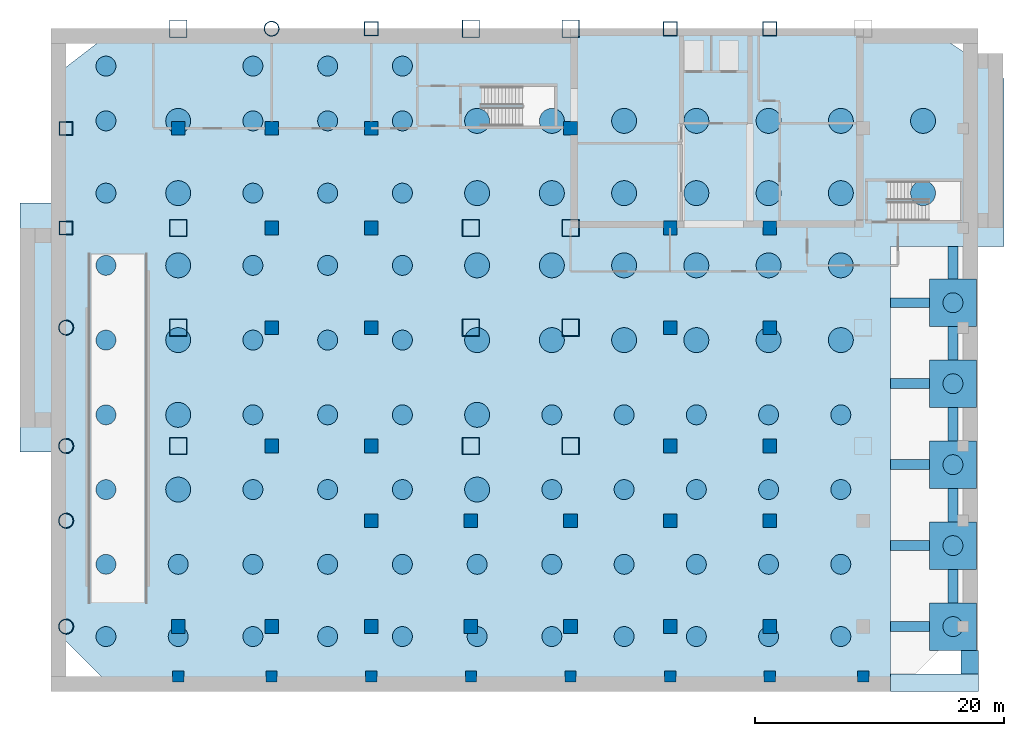
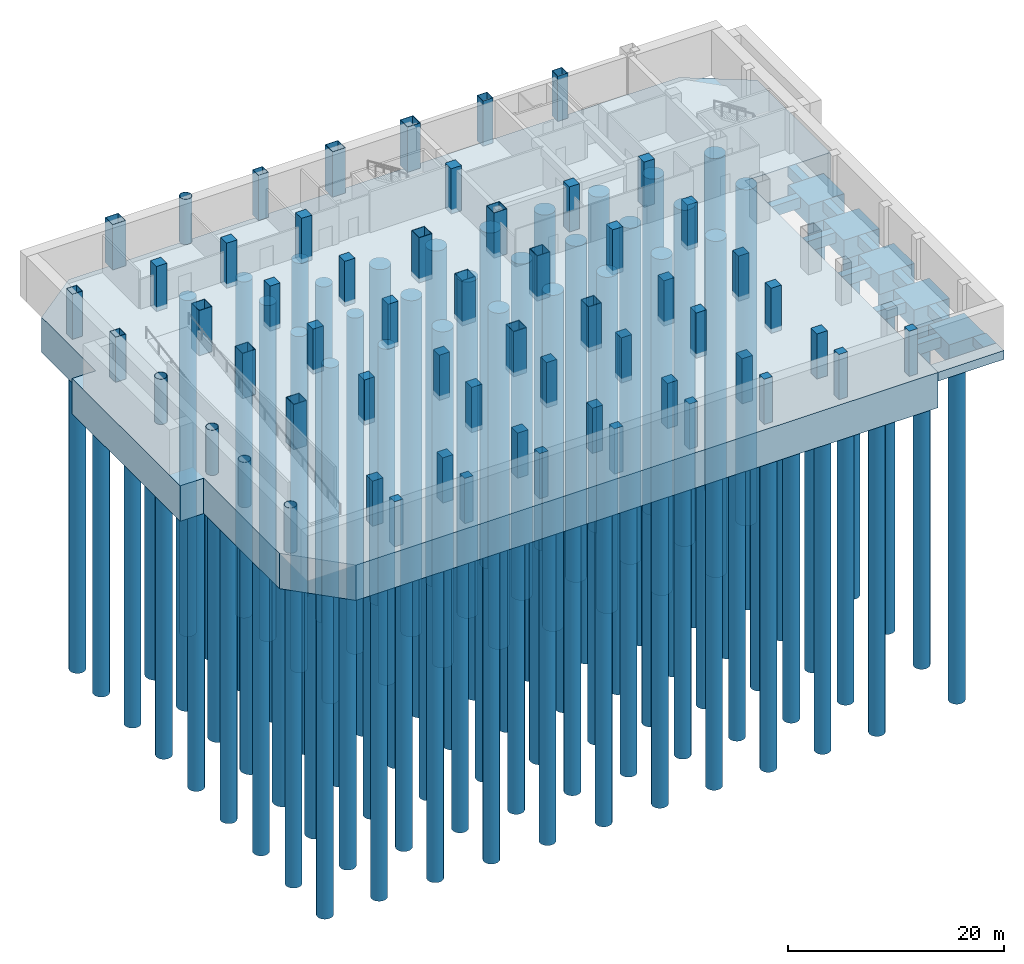
# One storey, part 1 of 8: 99 piles, 58 columns, 18 footings.
"""IFC4 building model written with IfcOpenShell, lengths in metres."""

from ifc_helpers import new_model, si_unit, direction, frame, origin, origin_2d, place, context, subcontext, project, spatial, polyline, rectangle, hollow_rectangle, circle, hollow_circle, outline, extrude, material, layer, layer_set, material_profile, profile_set, type_object, element, save


model = new_model("IFC4")

# Units and contexts
model_context = context("Model", 3, precision=1e-05, world=origin(), true_north=direction((0.0, 1.0)))
body_context = subcontext(model_context, "Body", "Model", "MODEL_VIEW")
ifc_project = project(units=[si_unit("LENGTHUNIT", "METRE"), si_unit("AREAUNIT", "SQUARE_METRE"), si_unit("VOLUMEUNIT", "CUBIC_METRE"), si_unit("PLANEANGLEUNIT", "RADIAN"), si_unit("MASSUNIT", "GRAM", prefix="KILO")], contexts=[model_context])

# Site, building, storey
site_placement = place(None, origin())
site = spatial("IfcSite", under=ifc_project, at=site_placement, CompositionType="ELEMENT")
building_placement = place(site_placement, origin())
building = spatial("IfcBuilding", under=site, at=building_placement, Name="Qianrong Seaharbour Tower", CompositionType="ELEMENT")
storey_placement = place(building_placement, frame((0.0, 0.0, -13.800048828125)))
storey = spatial("IfcBuildingStorey", under=building, at=storey_placement, Name="B03", CompositionType="ELEMENT", Elevation=-13.800048828125)

# Footings
ifc_material_1 = material(Name="Concrete C50/60", Category="concrete")
footing_type_1 = type_object("IfcFootingType", Name="FTG-PILECAP-3800", PredefinedType="PILE_CAP", material=ifc_material_1)
footing_1_placement = place(storey_placement, frame((0.0, 0.0, -2.699951171875)))
element("IfcFooting", 1, at=footing_1_placement, inside=storey, type_object=footing_type_1, Name="Colonnade Pile Cap PCAP-1.1", PredefinedType="PILE_CAP", context=body_context, shape_type="SweptSolid", body=[
    extrude(outline(polyline([(69.300048828125, 2.10009765625), (73.10009765625, 2.10009765625), (73.10009765625, 5.89990234375), (69.300048828125, 5.89990234375), (69.300048828125, 2.10009765625)])), origin(), (0.0, 0.0, 1.0), 2.199951171875),
])
footing_2_placement = place(storey_placement, frame((0.0, 0.0, -2.699951171875)))
element("IfcFooting", 2, at=footing_2_placement, inside=storey, type_object=footing_type_1, Name="Colonnade Pile Cap PCAP-1.2", PredefinedType="PILE_CAP", context=body_context, shape_type="SweptSolid", body=[
    extrude(outline(polyline([(69.300048828125, 8.60009765625), (73.10009765625, 8.60009765625), (73.10009765625, 12.39990234375), (69.300048828125, 12.39990234375), (69.300048828125, 8.60009765625)])), origin(), (0.0, 0.0, 1.0), 2.199951171875),
])
footing_3_placement = place(storey_placement, frame((0.0, 0.0, -2.699951171875)))
element("IfcFooting", 3, at=footing_3_placement, inside=storey, type_object=footing_type_1, Name="Colonnade Pile Cap PCAP-1.3", PredefinedType="PILE_CAP", context=body_context, shape_type="SweptSolid", body=[
    extrude(outline(polyline([(69.300048828125, 15.10009765625), (73.10009765625, 15.10009765625), (73.10009765625, 18.89990234375), (69.300048828125, 18.89990234375), (69.300048828125, 15.10009765625)])), origin(), (0.0, 0.0, 1.0), 2.199951171875),
])
footing_4_placement = place(storey_placement, frame((0.0, 0.0, -2.699951171875)))
element("IfcFooting", 4, at=footing_4_placement, inside=storey, type_object=footing_type_1, Name="Colonnade Pile Cap PCAP-1.4", PredefinedType="PILE_CAP", context=body_context, shape_type="SweptSolid", body=[
    extrude(outline(polyline([(69.300048828125, 21.60009765625), (73.10009765625, 21.60009765625), (73.10009765625, 25.39990234375), (69.300048828125, 25.39990234375), (69.300048828125, 21.60009765625)])), origin(), (0.0, 0.0, 1.0), 2.199951171875),
])
footing_5_placement = place(storey_placement, frame((0.0, 0.0, -2.699951171875)))
element("IfcFooting", 5, at=footing_5_placement, inside=storey, type_object=footing_type_1, Name="Colonnade Pile Cap PCAP-1.5", PredefinedType="PILE_CAP", context=body_context, shape_type="SweptSolid", body=[
    extrude(outline(polyline([(69.300048828125, 28.10009765625), (73.10009765625, 28.10009765625), (73.10009765625, 31.89990234375), (69.300048828125, 31.89990234375), (69.300048828125, 28.10009765625)])), origin(), (0.0, 0.0, 1.0), 2.199951171875),
])
ifc_layer = layer(ifc_material_1, 4.0)
ifc_layer_set = layer_set([ifc_layer], Name="Concrete C50/60")
footing_type_2 = type_object("IfcFootingType", Name="FTG-PILED-RAFT-4000", PredefinedType="PILE_CAP", material=ifc_layer_set)
footing_6_placement = place(storey_placement, frame((0.0, 0.0, -4.5)))
element("IfcFooting", 6, at=footing_6_placement, inside=storey, type_object=footing_type_2, Name="Main Tower and Podium Piled Raft PR-1", PredefinedType="PILE_CAP", context=body_context, shape_type="SweptSolid", body=[
    extrude(outline(polyline([(4.0, -1.199951171875), (66.199951171875, -1.199951171875), (66.199951171875, 34.5), (75.300048828125, 34.5), (75.300048828125, 48.0), (69.25, 52.0), (4.0, 52.0), (-1.199951171875, 48.0), (-1.199951171875, 38.0), (-3.699951171875, 38.0), (-3.699951171875, 18.0), (-1.199951171875, 18.0), (-1.199951171875, 4.0), (4.0, -1.199951171875)])), origin(), (0.0, 0.0, 1.0), 4.0),
])
footing_type_3 = type_object("IfcFootingType", Name="FTG-STRIP-1400x1000", PredefinedType="STRIP_FOOTING", material=ifc_material_1)
footing_7_placement = place(storey_placement, frame((0.0, 0.0, -1.5)))
element("IfcFooting", 7, at=footing_7_placement, inside=storey, type_object=footing_type_3, Name="Perimeter Strip Footing SFG-01", PredefinedType="STRIP_FOOTING", context=body_context, shape_type="SweptSolid", body=[
    extrude(outline(polyline([(66.199951171875, -1.199951171875), (73.25, -1.199951171875), (73.25, 0.199951171875), (66.199951171875, 0.199951171875), (66.199951171875, -1.199951171875)])), origin(), (0.0, 0.0, 1.0), 1.0),
])
footing_8_placement = place(storey_placement, frame((0.0, 0.0, -1.5)))
element("IfcFooting", 8, at=footing_8_placement, inside=storey, type_object=footing_type_3, Name="Perimeter Strip Footing SFG-02", PredefinedType="STRIP_FOOTING", context=body_context, shape_type="SweptSolid", body=[
    extrude(outline(polyline([(71.85009765625, 0.199951171875), (73.25, 0.199951171875), (73.25, 2.10009765625), (71.85009765625, 2.10009765625), (71.85009765625, 0.199951171875)])), origin(), (0.0, 0.0, 1.0), 1.0),
])
footing_type_4 = type_object("IfcFootingType", Name="FTG-TIEBEAM-800x1200", PredefinedType="FOOTING_BEAM", material=ifc_material_1)
footing_9_placement = place(storey_placement, frame((0.0, 0.0, -1.699951171875)))
element("IfcFooting", 9, at=footing_9_placement, inside=storey, type_object=footing_type_4, Name="Foundation Tie Beam FB-X1", PredefinedType="FOOTING_BEAM", context=body_context, shape_type="SweptSolid", body=[
    extrude(outline(polyline([(66.199951171875, 3.60009765625), (69.300048828125, 3.60009765625), (69.300048828125, 4.39990234375), (66.199951171875, 4.39990234375), (66.199951171875, 3.60009765625)])), origin(), (0.0, 0.0, 1.0), 1.199951171875),
])
footing_10_placement = place(storey_placement, frame((0.0, 0.0, -1.699951171875)))
element("IfcFooting", 10, at=footing_10_placement, inside=storey, type_object=footing_type_4, Name="Foundation Tie Beam FB-X2", PredefinedType="FOOTING_BEAM", context=body_context, shape_type="SweptSolid", body=[
    extrude(outline(polyline([(66.199951171875, 10.10009765625), (69.300048828125, 10.10009765625), (69.300048828125, 10.89990234375), (66.199951171875, 10.89990234375), (66.199951171875, 10.10009765625)])), origin(), (0.0, 0.0, 1.0), 1.199951171875),
])
footing_11_placement = place(storey_placement, frame((0.0, 0.0, -1.699951171875)))
element("IfcFooting", 11, at=footing_11_placement, inside=storey, type_object=footing_type_4, Name="Foundation Tie Beam FB-X3", PredefinedType="FOOTING_BEAM", context=body_context, shape_type="SweptSolid", body=[
    extrude(outline(polyline([(66.199951171875, 16.60009765625), (69.300048828125, 16.60009765625), (69.300048828125, 17.39990234375), (66.199951171875, 17.39990234375), (66.199951171875, 16.60009765625)])), origin(), (0.0, 0.0, 1.0), 1.199951171875),
])
footing_12_placement = place(storey_placement, frame((0.0, 0.0, -1.699951171875)))
element("IfcFooting", 12, at=footing_12_placement, inside=storey, type_object=footing_type_4, Name="Foundation Tie Beam FB-X4", PredefinedType="FOOTING_BEAM", context=body_context, shape_type="SweptSolid", body=[
    extrude(outline(polyline([(66.199951171875, 23.10009765625), (69.300048828125, 23.10009765625), (69.300048828125, 23.89990234375), (66.199951171875, 23.89990234375), (66.199951171875, 23.10009765625)])), origin(), (0.0, 0.0, 1.0), 1.199951171875),
])
footing_13_placement = place(storey_placement, frame((0.0, 0.0, -1.699951171875)))
element("IfcFooting", 13, at=footing_13_placement, inside=storey, type_object=footing_type_4, Name="Foundation Tie Beam FB-X5", PredefinedType="FOOTING_BEAM", context=body_context, shape_type="SweptSolid", body=[
    extrude(outline(polyline([(66.199951171875, 29.60009765625), (69.300048828125, 29.60009765625), (69.300048828125, 30.39990234375), (66.199951171875, 30.39990234375), (66.199951171875, 29.60009765625)])), origin(), (0.0, 0.0, 1.0), 1.199951171875),
])
footing_14_placement = place(storey_placement, frame((0.0, 0.0, -1.699951171875)))
element("IfcFooting", 14, at=footing_14_placement, inside=storey, type_object=footing_type_4, Name="Foundation Tie Beam FB-Y1", PredefinedType="FOOTING_BEAM", context=body_context, shape_type="SweptSolid", body=[
    extrude(outline(polyline([(70.800048828125, 5.89990234375), (71.60009765625, 5.89990234375), (71.60009765625, 8.60009765625), (70.800048828125, 8.60009765625), (70.800048828125, 5.89990234375)])), origin(), (0.0, 0.0, 1.0), 1.199951171875),
])
footing_15_placement = place(storey_placement, frame((0.0, 0.0, -1.699951171875)))
element("IfcFooting", 15, at=footing_15_placement, inside=storey, type_object=footing_type_4, Name="Foundation Tie Beam FB-Y2", PredefinedType="FOOTING_BEAM", context=body_context, shape_type="SweptSolid", body=[
    extrude(outline(polyline([(70.800048828125, 12.39990234375), (71.60009765625, 12.39990234375), (71.60009765625, 15.10009765625), (70.800048828125, 15.10009765625), (70.800048828125, 12.39990234375)])), origin(), (0.0, 0.0, 1.0), 1.199951171875),
])
footing_16_placement = place(storey_placement, frame((0.0, 0.0, -1.699951171875)))
element("IfcFooting", 16, at=footing_16_placement, inside=storey, type_object=footing_type_4, Name="Foundation Tie Beam FB-Y3", PredefinedType="FOOTING_BEAM", context=body_context, shape_type="SweptSolid", body=[
    extrude(outline(polyline([(70.800048828125, 18.89990234375), (71.60009765625, 18.89990234375), (71.60009765625, 21.60009765625), (70.800048828125, 21.60009765625), (70.800048828125, 18.89990234375)])), origin(), (0.0, 0.0, 1.0), 1.199951171875),
])
footing_17_placement = place(storey_placement, frame((0.0, 0.0, -1.699951171875)))
element("IfcFooting", 17, at=footing_17_placement, inside=storey, type_object=footing_type_4, Name="Foundation Tie Beam FB-Y4", PredefinedType="FOOTING_BEAM", context=body_context, shape_type="SweptSolid", body=[
    extrude(outline(polyline([(70.800048828125, 25.39990234375), (71.60009765625, 25.39990234375), (71.60009765625, 28.10009765625), (70.800048828125, 28.10009765625), (70.800048828125, 25.39990234375)])), origin(), (0.0, 0.0, 1.0), 1.199951171875),
])
footing_18_placement = place(storey_placement, frame((0.0, 0.0, -1.699951171875)))
element("IfcFooting", 18, at=footing_18_placement, inside=storey, type_object=footing_type_4, Name="Foundation Tie Beam FB-YN", PredefinedType="FOOTING_BEAM", context=body_context, shape_type="SweptSolid", body=[
    extrude(outline(polyline([(70.800048828125, 31.89990234375), (71.60009765625, 31.89990234375), (71.60009765625, 34.5), (70.800048828125, 34.5), (70.800048828125, 31.89990234375)])), origin(), (0.0, 0.0, 1.0), 1.199951171875),
])

# Piles
ifc_material_profile_1 = material_profile(ifc_material_1, circle(Radius=0.800048828125, at=origin_2d()), Name="PILE-D1600")
ifc_profile_set_1 = profile_set([ifc_material_profile_1], Name="Concrete C50/60")
pile_type_1 = type_object("IfcPileType", Name="PILE-BORED-D1600", PredefinedType="BORED", material=ifc_profile_set_1)
for number, where, z_axis, x_axis, name in (
    (19, (3.199951171875, 3.199951171875, -4.349853515625), (0.0, 0.0, -1.0), (1.0, 0.0, 0.0), "Bored Pile PL-001"),
    (20, (3.199951171875, 9.0, -4.349853515625), (0.0, 0.0, -1.0), (1.0, 0.0, 0.0), "Bored Pile PL-002"),
    (21, (3.199951171875, 15.0, -4.349853515625), (0.0, 0.0, -1.0), (1.0, 0.0, 0.0), "Bored Pile PL-003"),
    (22, (3.199951171875, 21.0, -4.349853515625), (0.0, 0.0, -1.0), (1.0, 0.0, 0.0), "Bored Pile PL-004"),
    (23, (3.199951171875, 27.0, -4.349853515625), (0.0, 0.0, -1.0), (1.0, 0.0, 0.0), "Bored Pile PL-005"),
    (24, (3.199951171875, 33.0, -4.349853515625), (0.0, 0.0, -1.0), (1.0, 0.0, 0.0), "Bored Pile PL-006"),
    (25, (3.199951171875, 38.800048828125, -4.349853515625), (0.0, 0.0, -1.0), (1.0, 0.0, 0.0), "Bored Pile PL-007"),
    (26, (3.199951171875, 44.60009765625, -4.349853515625), (0.0, 0.0, -1.0), (1.0, 0.0, 0.0), "Bored Pile PL-008"),
    (27, (3.199951171875, 49.0, -4.349853515625), (0.0, 0.0, -1.0), (1.0, 0.0, 0.0), "Bored Pile PL-009"),
    (28, (9.0, 3.199951171875, -4.349853515625), (0.0, 0.0, -1.0), (1.0, 0.0, 0.0), "Bored Pile PL-010"),
    (29, (9.0, 9.0, -4.349853515625), (0.0, 0.0, -1.0), (1.0, 0.0, 0.0), "Bored Pile PL-011"),
    (30, (15.0, 3.199951171875, -4.349853515625), (0.0, 0.0, -1.0), (1.0, 0.0, 0.0), "Bored Pile PL-018"),
    (31, (15.0, 9.0, -4.349853515625), (0.0, 0.0, -1.0), (1.0, 0.0, 0.0), "Bored Pile PL-019"),
    (32, (15.0, 15.0, -4.349853515625), (0.0, 0.0, -1.0), (1.0, 0.0, 0.0), "Bored Pile PL-020"),
    (33, (15.0, 21.0, -4.349853515625), (0.0, 0.0, -1.0), (1.0, 0.0, 0.0), "Bored Pile PL-021"),
    (34, (15.0, 27.0, -4.349853515625), (0.0, 0.0, -1.0), (1.0, 0.0, 0.0), "Bored Pile PL-022"),
    (35, (15.0, 33.0, -4.349853515625), (0.0, 0.0, -1.0), (1.0, 0.0, 0.0), "Bored Pile PL-023"),
    (36, (15.0, 38.800048828125, -4.349853515625), (0.0, 0.0, -1.0), (1.0, 0.0, 0.0), "Bored Pile PL-024"),
    (37, (15.0, 44.60009765625, -4.349853515625), (0.0, 0.0, -1.0), (1.0, 0.0, 0.0), "Bored Pile PL-025"),
    (38, (15.0, 49.0, -4.349853515625), (0.0, 0.0, -1.0), (1.0, 0.0, 0.0), "Bored Pile PL-026"),
    (39, (21.0, 3.199951171875, -4.349853515625), (0.0, 0.0, -1.0), (1.0, 0.0, 0.0), "Bored Pile PL-027"),
    (40, (21.0, 9.0, -4.349853515625), (0.0, 0.0, -1.0), (1.0, 0.0, 0.0), "Bored Pile PL-028"),
    (41, (21.0, 15.0, -4.349853515625), (0.0, 0.0, -1.0), (1.0, 0.0, 0.0), "Bored Pile PL-029"),
    (42, (21.0, 21.0, -4.349853515625), (0.0, 0.0, -1.0), (1.0, 0.0, 0.0), "Bored Pile PL-030"),
    (43, (21.0, 27.0, -4.349853515625), (0.0, 0.0, -1.0), (1.0, 0.0, 0.0), "Bored Pile PL-031"),
    (44, (21.0, 33.0, -4.349853515625), (0.0, 0.0, -1.0), (1.0, 0.0, 0.0), "Bored Pile PL-032"),
    (45, (21.0, 38.800048828125, -4.349853515625), (0.0, 0.0, -1.0), (1.0, 0.0, 0.0), "Bored Pile PL-033"),
    (46, (21.0, 44.60009765625, -4.349853515625), (0.0, 0.0, -1.0), (1.0, 0.0, 0.0), "Bored Pile PL-034"),
    (47, (21.0, 49.0, -4.349853515625), (0.0, 0.0, -1.0), (1.0, 0.0, 0.0), "Bored Pile PL-035"),
    (48, (27.0, 3.199951171875, -4.349853515625), (0.0, 0.0, -1.0), (1.0, 0.0, 0.0), "Bored Pile PL-036"),
    (49, (27.0, 9.0, -4.349853515625), (0.0, 0.0, -1.0), (1.0, 0.0, 0.0), "Bored Pile PL-037"),
    (50, (27.0, 15.0, -4.349853515625), (0.0, 0.0, -1.0), (1.0, 0.0, 0.0), "Bored Pile PL-038"),
    (51, (27.0, 21.0, -4.349853515625), (0.0, 0.0, -1.0), (1.0, 0.0, 0.0), "Bored Pile PL-039"),
    (52, (27.0, 27.0, -4.349853515625), (0.0, 0.0, -1.0), (1.0, 0.0, 0.0), "Bored Pile PL-040"),
    (53, (27.0, 33.0, -4.349853515625), (0.0, 0.0, -1.0), (1.0, 0.0, 0.0), "Bored Pile PL-041"),
    (54, (27.0, 38.800048828125, -4.349853515625), (0.0, 0.0, -1.0), (1.0, 0.0, 0.0), "Bored Pile PL-042"),
    (55, (27.0, 44.60009765625, -4.349853515625), (0.0, 0.0, -1.0), (1.0, 0.0, 0.0), "Bored Pile PL-043"),
    (56, (27.0, 49.0, -4.349853515625), (0.0, 0.0, -1.0), (1.0, 0.0, 0.0), "Bored Pile PL-044"),
    (57, (33.0, 3.199951171875, -4.349853515625), (0.0, 0.0, -1.0), (1.0, 0.0, 0.0), "Bored Pile PL-045"),
    (58, (33.0, 9.0, -4.349853515625), (0.0, 0.0, -1.0), (1.0, 0.0, 0.0), "Bored Pile PL-046"),
    (59, (39.0, 3.199951171875, -4.349853515625), (0.0, 0.0, -1.0), (1.0, 0.0, 0.0), "Bored Pile PL-053"),
    (60, (39.0, 9.0, -4.349853515625), (0.0, 0.0, -1.0), (1.0, 0.0, 0.0), "Bored Pile PL-054"),
    (61, (39.0, 15.0, -4.349853515625), (0.0, 0.0, -1.0), (1.0, 0.0, 0.0), "Bored Pile PL-055"),
    (62, (39.0, 21.0, -4.349853515625), (0.0, 0.0, -1.0), (1.0, 0.0, 0.0), "Bored Pile PL-056"),
    (63, (44.800048828125, 3.199951171875, -4.349853515625), (0.0, 0.0, -1.0), (1.0, 0.0, 0.0), "Bored Pile PL-061"),
    (64, (44.800048828125, 9.0, -4.349853515625), (0.0, 0.0, -1.0), (1.0, 0.0, 0.0), "Bored Pile PL-062"),
    (65, (44.800048828125, 15.0, -4.349853515625), (0.0, 0.0, -1.0), (1.0, 0.0, 0.0), "Bored Pile PL-063"),
    (66, (44.800048828125, 21.0, -4.349853515625), (0.0, 0.0, -1.0), (1.0, 0.0, 0.0), "Bored Pile PL-064"),
    (67, (50.60009765625, 3.199951171875, -4.349853515625), (0.0, 0.0, -1.0), (1.0, 0.0, 0.0), "Bored Pile PL-069"),
    (68, (50.60009765625, 9.0, -4.349853515625), (0.0, 0.0, -1.0), (1.0, 0.0, 0.0), "Bored Pile PL-070"),
    (69, (50.60009765625, 15.0, -4.349853515625), (0.0, 0.0, -1.0), (1.0, 0.0, 0.0), "Bored Pile PL-071"),
    (70, (50.60009765625, 21.0, -4.349853515625), (0.0, 0.0, -1.0), (1.0, 0.0, 0.0), "Bored Pile PL-072"),
    (71, (56.39990234375, 3.199951171875, -4.349853515625), (0.0, 0.0, -1.0), (1.0, 0.0, 0.0), "Bored Pile PL-077"),
    (72, (56.39990234375, 9.0, -4.349853515625), (0.0, 0.0, -1.0), (1.0, 0.0, 0.0), "Bored Pile PL-078"),
    (73, (56.39990234375, 15.0, -4.349853515625), (0.0, 0.0, -1.0), (1.0, 0.0, 0.0), "Bored Pile PL-079"),
    (74, (56.39990234375, 21.0, -4.349853515625), (0.0, 0.0, -1.0), (1.0, 0.0, 0.0), "Bored Pile PL-080"),
    (75, (62.199951171875, 3.199951171875, -4.349853515625), (0.0, 0.0, -1.0), (1.0, 0.0, 0.0), "Bored Pile PL-085"),
    (76, (62.199951171875, 9.0, -4.349853515625), (0.0, 0.0, -1.0), (1.0, 0.0, 0.0), "Bored Pile PL-086"),
    (77, (62.199951171875, 15.0, -4.349853515625), (0.0, 0.0, -1.0), (1.0, 0.0, 0.0), "Bored Pile PL-087"),
    (78, (62.199951171875, 21.0, -4.349853515625), (0.0, 0.0, -1.0), (1.0, 0.0, 0.0), "Bored Pile PL-088"),
):
    element("IfcPile", number, at=place(storey_placement, frame(where, z_axis=z_axis, x_axis=x_axis)), inside=storey, type_object=pile_type_1, Name=name, PredefinedType="BORED", context=body_context, shape_type="SweptSolid", body=[
        extrude(circle(Radius=0.800048828125, at=origin_2d()), origin(), (0.0, 0.0, 1.0), 38.0),
    ])
for number, where, z_axis, x_axis, name in (
    (79, (71.199951171875, 4.0, -2.550048828125), (0.0, 0.0, -1.0), (1.0, 0.0, 0.0), "Colonnade Cap Bored Pile PLC-01"),
    (80, (71.199951171875, 10.5, -2.550048828125), (0.0, 0.0, -1.0), (1.0, 0.0, 0.0), "Colonnade Cap Bored Pile PLC-02"),
    (81, (71.199951171875, 17.0, -2.550048828125), (0.0, 0.0, -1.0), (1.0, 0.0, 0.0), "Colonnade Cap Bored Pile PLC-03"),
    (82, (71.199951171875, 23.5, -2.550048828125), (0.0, 0.0, -1.0), (1.0, 0.0, 0.0), "Colonnade Cap Bored Pile PLC-04"),
    (83, (71.199951171875, 30.0, -2.550048828125), (0.0, 0.0, -1.0), (1.0, 0.0, 0.0), "Colonnade Cap Bored Pile PLC-05"),
):
    element("IfcPile", number, at=place(storey_placement, frame(where, z_axis=z_axis, x_axis=x_axis)), inside=storey, type_object=pile_type_1, Name=name, PredefinedType="BORED", context=body_context, shape_type="SweptSolid", body=[
        extrude(circle(Radius=0.800048828125, at=origin_2d()), origin(), (0.0, 0.0, 1.0), 39.800048828125),
    ])
ifc_material_profile_2 = material_profile(ifc_material_1, circle(Radius=1.0, at=origin_2d()), Name="PILE-D2000")
ifc_profile_set_2 = profile_set([ifc_material_profile_2], Name="Concrete C50/60")
pile_type_2 = type_object("IfcPileType", Name="PILE-BORED-D2000", PredefinedType="BORED", material=ifc_profile_set_2)
for number, where, z_axis, x_axis, name in (
    (84, (9.0, 15.0, -4.349853515625), (0.0, 0.0, -1.0), (1.0, 0.0, 0.0), "Bored Pile PL-012"),
    (85, (9.0, 21.0, -4.349853515625), (0.0, 0.0, -1.0), (1.0, 0.0, 0.0), "Bored Pile PL-013"),
    (86, (9.0, 27.0, -4.349853515625), (0.0, 0.0, -1.0), (1.0, 0.0, 0.0), "Bored Pile PL-014"),
    (87, (9.0, 33.0, -4.349853515625), (0.0, 0.0, -1.0), (1.0, 0.0, 0.0), "Bored Pile PL-015"),
    (88, (9.0, 38.800048828125, -4.349853515625), (0.0, 0.0, -1.0), (1.0, 0.0, 0.0), "Bored Pile PL-016"),
    (89, (9.0, 44.60009765625, -4.349853515625), (0.0, 0.0, -1.0), (1.0, 0.0, 0.0), "Bored Pile PL-017"),
    (90, (33.0, 15.0, -4.349853515625), (0.0, 0.0, -1.0), (1.0, 0.0, 0.0), "Bored Pile PL-047"),
    (91, (33.0, 21.0, -4.349853515625), (0.0, 0.0, -1.0), (1.0, 0.0, 0.0), "Bored Pile PL-048"),
    (92, (33.0, 27.0, -4.349853515625), (0.0, 0.0, -1.0), (1.0, 0.0, 0.0), "Bored Pile PL-049"),
    (93, (33.0, 33.0, -4.349853515625), (0.0, 0.0, -1.0), (1.0, 0.0, 0.0), "Bored Pile PL-050"),
    (94, (33.0, 38.800048828125, -4.349853515625), (0.0, 0.0, -1.0), (1.0, 0.0, 0.0), "Bored Pile PL-051"),
    (95, (33.0, 44.60009765625, -4.349853515625), (0.0, 0.0, -1.0), (1.0, 0.0, 0.0), "Bored Pile PL-052"),
    (96, (39.0, 27.0, -4.349853515625), (0.0, 0.0, -1.0), (1.0, 0.0, 0.0), "Bored Pile PL-057"),
    (97, (39.0, 33.0, -4.349853515625), (0.0, 0.0, -1.0), (1.0, 0.0, 0.0), "Bored Pile PL-058"),
    (98, (39.0, 38.800048828125, -4.349853515625), (0.0, 0.0, -1.0), (1.0, 0.0, 0.0), "Bored Pile PL-059"),
    (99, (39.0, 44.60009765625, -4.349853515625), (0.0, 0.0, -1.0), (1.0, 0.0, 0.0), "Bored Pile PL-060"),
    (100, (44.800048828125, 27.0, -4.349853515625), (0.0, 0.0, -1.0), (1.0, 0.0, 0.0), "Bored Pile PL-065"),
    (101, (44.800048828125, 33.0, -4.349853515625), (0.0, 0.0, -1.0), (1.0, 0.0, 0.0), "Bored Pile PL-066"),
    (102, (44.800048828125, 38.800048828125, -4.349853515625), (0.0, 0.0, -1.0), (1.0, 0.0, 0.0), "Bored Pile PL-067"),
    (103, (44.800048828125, 44.60009765625, -4.349853515625), (0.0, 0.0, -1.0), (1.0, 0.0, 0.0), "Bored Pile PL-068"),
    (104, (50.60009765625, 27.0, -4.349853515625), (0.0, 0.0, -1.0), (1.0, 0.0, 0.0), "Bored Pile PL-073"),
    (105, (50.60009765625, 33.0, -4.349853515625), (0.0, 0.0, -1.0), (1.0, 0.0, 0.0), "Bored Pile PL-074"),
    (106, (50.60009765625, 38.800048828125, -4.349853515625), (0.0, 0.0, -1.0), (1.0, 0.0, 0.0), "Bored Pile PL-075"),
    (107, (50.60009765625, 44.60009765625, -4.349853515625), (0.0, 0.0, -1.0), (1.0, 0.0, 0.0), "Bored Pile PL-076"),
    (108, (56.39990234375, 27.0, -4.349853515625), (0.0, 0.0, -1.0), (1.0, 0.0, 0.0), "Bored Pile PL-081"),
    (109, (56.39990234375, 33.0, -4.349853515625), (0.0, 0.0, -1.0), (1.0, 0.0, 0.0), "Bored Pile PL-082"),
    (110, (56.39990234375, 38.800048828125, -4.349853515625), (0.0, 0.0, -1.0), (1.0, 0.0, 0.0), "Bored Pile PL-083"),
    (111, (56.39990234375, 44.60009765625, -4.349853515625), (0.0, 0.0, -1.0), (1.0, 0.0, 0.0), "Bored Pile PL-084"),
    (112, (62.199951171875, 27.0, -4.349853515625), (0.0, 0.0, -1.0), (1.0, 0.0, 0.0), "Bored Pile PL-089"),
    (113, (62.199951171875, 33.0, -4.349853515625), (0.0, 0.0, -1.0), (1.0, 0.0, 0.0), "Bored Pile PL-090"),
    (114, (62.199951171875, 38.800048828125, -4.349853515625), (0.0, 0.0, -1.0), (1.0, 0.0, 0.0), "Bored Pile PL-091"),
    (115, (62.199951171875, 44.60009765625, -4.349853515625), (0.0, 0.0, -1.0), (1.0, 0.0, 0.0), "Bored Pile PL-092"),
    (116, (68.800048828125, 38.800048828125, -4.349853515625), (0.0, 0.0, -1.0), (1.0, 0.0, 0.0), "Bored Pile PL-093"),
    (117, (68.800048828125, 44.60009765625, -4.349853515625), (0.0, 0.0, -1.0), (1.0, 0.0, 0.0), "Bored Pile PL-094"),
):
    element("IfcPile", number, at=place(storey_placement, frame(where, z_axis=z_axis, x_axis=x_axis)), inside=storey, type_object=pile_type_2, Name=name, PredefinedType="BORED", context=body_context, shape_type="SweptSolid", body=[
        extrude(circle(Radius=1.0, at=origin_2d()), origin(), (0.0, 0.0, 1.0), 38.0),
    ])

# Columns
ifc_material_2 = material(Name="Structural steel SN490B", Category="steel")
ifc_material_profile_3 = material_profile(ifc_material_2, hollow_rectangle(XDim=1.39990234375, YDim=1.39990234375, WallThickness=0.050048828125, at=origin_2d()), Name="BOX1400x1400x50")
ifc_profile_set_3 = profile_set([ifc_material_profile_3], Name="Structural steel SN490B")
column_type_1 = type_object("IfcColumnType", Name="COL-CFT-1400", PredefinedType="COLUMN", material=ifc_profile_set_3)
for number, where, z_axis, x_axis, name in (
    (118, (9.0, 18.5, -0.5), (0.0, 0.0, 1.0), (1.0, 0.0, 0.0), "B03 Column MC-1 at G2/GD"),
    (119, (9.0, 28.0, -0.5), (0.0, 0.0, 1.0), (1.0, 0.0, 0.0), "B03 Column MC-1 at G2/GE"),
    (120, (9.0, 36.0, -0.5), (0.0, 0.0, 1.0), (1.0, 0.0, 0.0), "B03 Column MC-1 at G2/GF"),
    (121, (9.0, 52.0, -0.5), (0.0, 0.0, 1.0), (1.0, 0.0, 0.0), "B03 Column MC-1 at G2/GH"),
    (122, (32.5, 18.5, -0.5), (0.0, 0.0, 1.0), (1.0, 0.0, 0.0), "B03 Column MC-1 at G5/GD"),
    (123, (32.5, 28.0, -0.5), (0.0, 0.0, 1.0), (1.0, 0.0, 0.0), "B03 Column MC-1 at G5/GE"),
    (124, (32.5, 36.0, -0.5), (0.0, 0.0, 1.0), (1.0, 0.0, 0.0), "B03 Column MC-1 at G5/GF"),
    (125, (32.5, 52.0, -0.5), (0.0, 0.0, 1.0), (1.0, 0.0, 0.0), "B03 Column MC-1 at G5/GH"),
    (126, (40.5, 18.5, -0.5), (0.0, 0.0, 1.0), (1.0, 0.0, 0.0), "B03 Column MC-1 at G6/GD"),
    (127, (40.5, 28.0, -0.5), (0.0, 0.0, 1.0), (1.0, 0.0, 0.0), "B03 Column MC-1 at G6/GE"),
    (128, (40.5, 36.0, -0.5), (0.0, 0.0, 1.0), (1.0, 0.0, 0.0), "B03 Column MC-1 at G6/GF"),
    (129, (40.5, 52.0, -0.5), (0.0, 0.0, 1.0), (1.0, 0.0, 0.0), "B03 Column MC-1 at G6/GH"),
):
    element("IfcColumn", number, at=place(storey_placement, frame(where, z_axis=z_axis, x_axis=x_axis)), inside=storey, type_object=column_type_1, Name=name, PredefinedType="COLUMN", context=body_context, shape_type="SweptSolid", body=[
        extrude(hollow_rectangle(XDim=1.39990234375, YDim=1.39990234375, WallThickness=0.050048828125, at=origin_2d()), origin(), (0.0, 0.0, 1.0), 5.10009765625),
    ])
ifc_material_profile_4 = material_profile(ifc_material_2, hollow_circle(Radius=0.60009765625, WallThickness=0.0400390625, at=origin_2d()), Name="CHS1200x40")
ifc_profile_set_4 = profile_set([ifc_material_profile_4], Name="Structural steel SN490B")
column_type_2 = type_object("IfcColumnType", Name="COL-CHS-1200", PredefinedType="COLUMN", material=ifc_profile_set_4)
for number, where, z_axis, x_axis, name in (
    (130, (0.0, 4.0, -0.5), (0.0, 0.0, 1.0), (1.0, 0.0, 0.0), "B03 Column CC-1 at G1/GB"),
    (131, (0.0, 12.5, -0.5), (0.0, 0.0, 1.0), (1.0, 0.0, 0.0), "B03 Column CC-1 at G1/GC"),
    (132, (0.0, 18.5, -0.5), (0.0, 0.0, 1.0), (1.0, 0.0, 0.0), "B03 Column CC-1 at G1/GD"),
    (133, (0.0, 28.0, -0.5), (0.0, 0.0, 1.0), (1.0, 0.0, 0.0), "B03 Column CC-1 at G1/GE"),
    (134, (16.5, 52.0, -0.5), (0.0, 0.0, 1.0), (1.0, 0.0, 0.0), "B03 Column CC-1 at G3/GH"),
):
    element("IfcColumn", number, at=place(storey_placement, frame(where, z_axis=z_axis, x_axis=x_axis)), inside=storey, type_object=column_type_2, Name=name, PredefinedType="COLUMN", context=body_context, shape_type="SweptSolid", body=[
        extrude(hollow_circle(Radius=0.60009765625, WallThickness=0.0400390625, at=origin_2d()), origin(), (0.0, 0.0, 1.0), 5.10009765625),
    ])
ifc_material_3 = material(Name="Concrete C70/85", Category="concrete")
ifc_material_profile_5 = material_profile(ifc_material_3, rectangle(XDim=1.10009765625, YDim=1.10009765625, at=origin_2d()), Name="RC1100x1100")
ifc_profile_set_5 = profile_set([ifc_material_profile_5], Name="Concrete C70/85")
column_type_3 = type_object("IfcColumnType", Name="COL-INT-RC1100", PredefinedType="COLUMN", material=ifc_profile_set_5)
for number, where, z_axis, x_axis, name in (
    (135, (9.0, 4.0, -0.5), (0.0, 0.0, 1.0), (1.0, 0.0, 0.0), "B03 Column IC-1 at G2/GB"),
    (136, (9.0, 44.0, -0.5), (0.0, 0.0, 1.0), (1.0, 0.0, 0.0), "B03 Column IC-1 at G2/GG"),
    (137, (16.5, 4.0, -0.5), (0.0, 0.0, 1.0), (1.0, 0.0, 0.0), "B03 Column IC-1 at G3/GB"),
    (138, (16.5, 18.5, -0.5), (0.0, 0.0, 1.0), (1.0, 0.0, 0.0), "B03 Column IC-1 at G3/GD"),
    (139, (16.5, 28.0, -0.5), (0.0, 0.0, 1.0), (1.0, 0.0, 0.0), "B03 Column IC-1 at G3/GE"),
    (140, (16.5, 36.0, -0.5), (0.0, 0.0, 1.0), (1.0, 0.0, 0.0), "B03 Column IC-1 at G3/GF"),
    (141, (16.5, 44.0, -0.5), (0.0, 0.0, 1.0), (1.0, 0.0, 0.0), "B03 Column IC-1 at G3/GG"),
    (142, (24.5, 4.0, -0.5), (0.0, 0.0, 1.0), (1.0, 0.0, 0.0), "B03 Column IC-1 at G4/GB"),
    (143, (24.5, 12.5, -0.5), (0.0, 0.0, 1.0), (1.0, 0.0, 0.0), "B03 Column IC-1 at G4/GC"),
    (144, (24.5, 18.5, -0.5), (0.0, 0.0, 1.0), (1.0, 0.0, 0.0), "B03 Column IC-1 at G4/GD"),
    (145, (24.5, 28.0, -0.5), (0.0, 0.0, 1.0), (1.0, 0.0, 0.0), "B03 Column IC-1 at G4/GE"),
    (146, (24.5, 36.0, -0.5), (0.0, 0.0, 1.0), (1.0, 0.0, 0.0), "B03 Column IC-1 at G4/GF"),
    (147, (24.5, 44.0, -0.5), (0.0, 0.0, 1.0), (1.0, 0.0, 0.0), "B03 Column IC-1 at G4/GG"),
    (148, (32.5, 4.0, -0.5), (0.0, 0.0, 1.0), (1.0, 0.0, 0.0), "B03 Column IC-1 at G5/GB"),
    (149, (32.5, 12.5, -0.5), (0.0, 0.0, 1.0), (1.0, 0.0, 0.0), "B03 Column IC-1 at G5/GC"),
    (150, (40.5, 4.0, -0.5), (0.0, 0.0, 1.0), (1.0, 0.0, 0.0), "B03 Column IC-1 at G6/GB"),
    (151, (40.5, 12.5, -0.5), (0.0, 0.0, 1.0), (1.0, 0.0, 0.0), "B03 Column IC-1 at G6/GC"),
    (152, (40.5, 44.0, -0.5), (0.0, 0.0, 1.0), (1.0, 0.0, 0.0), "B03 Column IC-1 at G6/GG"),
    (153, (48.5, 4.0, -0.5), (0.0, 0.0, 1.0), (1.0, 0.0, 0.0), "B03 Column IC-1 at G7/GB"),
    (154, (48.5, 12.5, -0.5), (0.0, 0.0, 1.0), (1.0, 0.0, 0.0), "B03 Column IC-1 at G7/GC"),
    (155, (48.5, 18.5, -0.5), (0.0, 0.0, 1.0), (1.0, 0.0, 0.0), "B03 Column IC-1 at G7/GD"),
    (156, (48.5, 28.0, -0.5), (0.0, 0.0, 1.0), (1.0, 0.0, 0.0), "B03 Column IC-1 at G7/GE"),
    (157, (48.5, 36.0, -0.5), (0.0, 0.0, 1.0), (1.0, 0.0, 0.0), "B03 Column IC-1 at G7/GF"),
    (158, (56.5, 4.0, -0.5), (0.0, 0.0, 1.0), (1.0, 0.0, 0.0), "B03 Column IC-1 at G8/GB"),
    (159, (56.5, 12.5, -0.5), (0.0, 0.0, 1.0), (1.0, 0.0, 0.0), "B03 Column IC-1 at G8/GC"),
    (160, (56.5, 18.5, -0.5), (0.0, 0.0, 1.0), (1.0, 0.0, 0.0), "B03 Column IC-1 at G8/GD"),
    (161, (56.5, 28.0, -0.5), (0.0, 0.0, 1.0), (1.0, 0.0, 0.0), "B03 Column IC-1 at G8/GE"),
    (162, (56.5, 36.0, -0.5), (0.0, 0.0, 1.0), (1.0, 0.0, 0.0), "B03 Column IC-1 at G8/GF"),
):
    element("IfcColumn", number, at=place(storey_placement, frame(where, z_axis=z_axis, x_axis=x_axis)), inside=storey, type_object=column_type_3, Name=name, PredefinedType="COLUMN", context=body_context, shape_type="SweptSolid", body=[
        extrude(rectangle(XDim=1.10009765625, YDim=1.10009765625, at=origin_2d()), origin(), (0.0, 0.0, 1.0), 5.10009765625),
    ])
ifc_material_profile_6 = material_profile(ifc_material_2, hollow_rectangle(XDim=1.10009765625, YDim=1.10009765625, WallThickness=0.0400390625, at=origin_2d()), Name="BOX1100x1100x40")
ifc_profile_set_6 = profile_set([ifc_material_profile_6], Name="Structural steel SN490B")
column_type_4 = type_object("IfcColumnType", Name="COL-PER-1100", PredefinedType="COLUMN", material=ifc_profile_set_6)
for number, where, z_axis, x_axis, name in (
    (163, (0.0, 36.0, -0.5), (0.0, 0.0, 1.0), (1.0, 0.0, 0.0), "B03 Column PC-1 at G1/GF"),
    (164, (0.0, 44.0, -0.5), (0.0, 0.0, 1.0), (1.0, 0.0, 0.0), "B03 Column PC-1 at G1/GG"),
    (165, (24.5, 52.0, -0.5), (0.0, 0.0, 1.0), (1.0, 0.0, 0.0), "B03 Column PC-1 at G4/GH"),
    (166, (48.5, 52.0, -0.5), (0.0, 0.0, 1.0), (1.0, 0.0, 0.0), "B03 Column PC-1 at G7/GH"),
    (167, (56.5, 52.0, -0.5), (0.0, 0.0, 1.0), (1.0, 0.0, 0.0), "B03 Column PC-1 at G8/GH"),
):
    element("IfcColumn", number, at=place(storey_placement, frame(where, z_axis=z_axis, x_axis=x_axis)), inside=storey, type_object=column_type_4, Name=name, PredefinedType="COLUMN", context=body_context, shape_type="SweptSolid", body=[
        extrude(hollow_rectangle(XDim=1.10009765625, YDim=1.10009765625, WallThickness=0.0400390625, at=origin_2d()), origin(), (0.0, 0.0, 1.0), 5.10009765625),
    ])
ifc_material_4 = material(Name="Concrete C60/75", Category="concrete")
ifc_material_profile_7 = material_profile(ifc_material_4, rectangle(XDim=0.89990234375, YDim=0.89990234375, at=origin_2d()), Name="RC900x900")
ifc_profile_set_7 = profile_set([ifc_material_profile_7], Name="Concrete C60/75")
column_type_5 = type_object("IfcColumnType", Name="COL-PIL-RC900", PredefinedType="PILASTER", material=ifc_profile_set_7)
for number, where, z_axis, x_axis, name in (
    (168, (9.0, 0.0, -0.5), (0.0, 0.0, 1.0), (1.0, 0.0, 0.0), "B03 Column CP-1 at G2/GA"),
    (169, (16.5, 0.0, -0.5), (0.0, 0.0, 1.0), (1.0, 0.0, 0.0), "B03 Column CP-1 at G3/GA"),
    (170, (24.5, 0.0, -0.5), (0.0, 0.0, 1.0), (1.0, 0.0, 0.0), "B03 Column CP-1 at G4/GA"),
    (171, (32.5, 0.0, -0.5), (0.0, 0.0, 1.0), (1.0, 0.0, 0.0), "B03 Column CP-1 at G5/GA"),
    (172, (40.5, 0.0, -0.5), (0.0, 0.0, 1.0), (1.0, 0.0, 0.0), "B03 Column CP-1 at G6/GA"),
    (173, (48.5, 0.0, -0.5), (0.0, 0.0, 1.0), (1.0, 0.0, 0.0), "B03 Column CP-1 at G7/GA"),
    (174, (56.5, 0.0, -0.5), (0.0, 0.0, 1.0), (1.0, 0.0, 0.0), "B03 Column CP-1 at G8/GA"),
    (175, (64.0, 0.0, -0.5), (0.0, 0.0, 1.0), (1.0, 0.0, 0.0), "B03 Column CP-1 at G9/GA"),
):
    element("IfcColumn", number, at=place(storey_placement, frame(where, z_axis=z_axis, x_axis=x_axis)), inside=storey, type_object=column_type_5, Name=name, PredefinedType="PILASTER", context=body_context, shape_type="SweptSolid", body=[
        extrude(rectangle(XDim=0.89990234375, YDim=0.89990234375, at=origin_2d()), origin(), (0.0, 0.0, 1.0), 5.10009765625),
    ])

save(model, "model.ifc")
